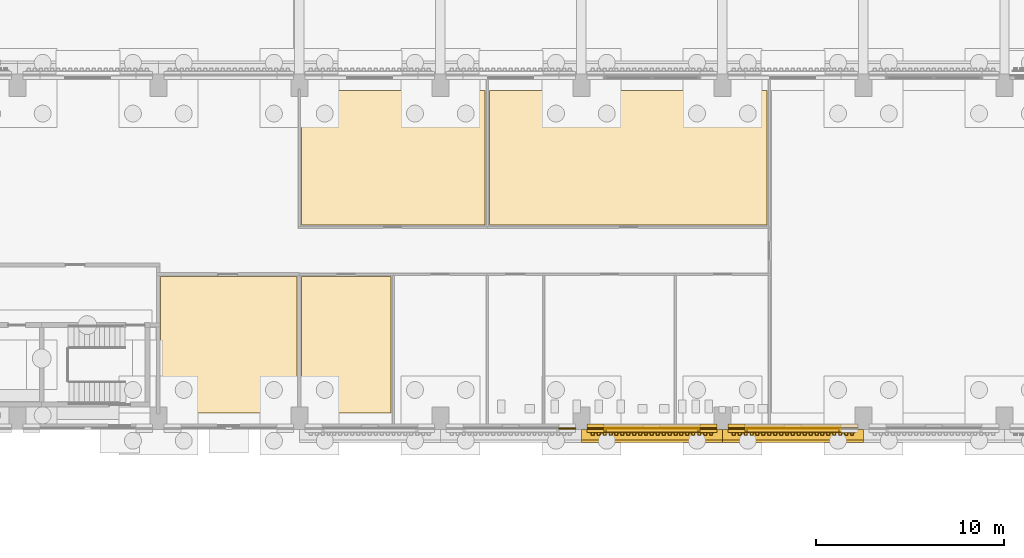
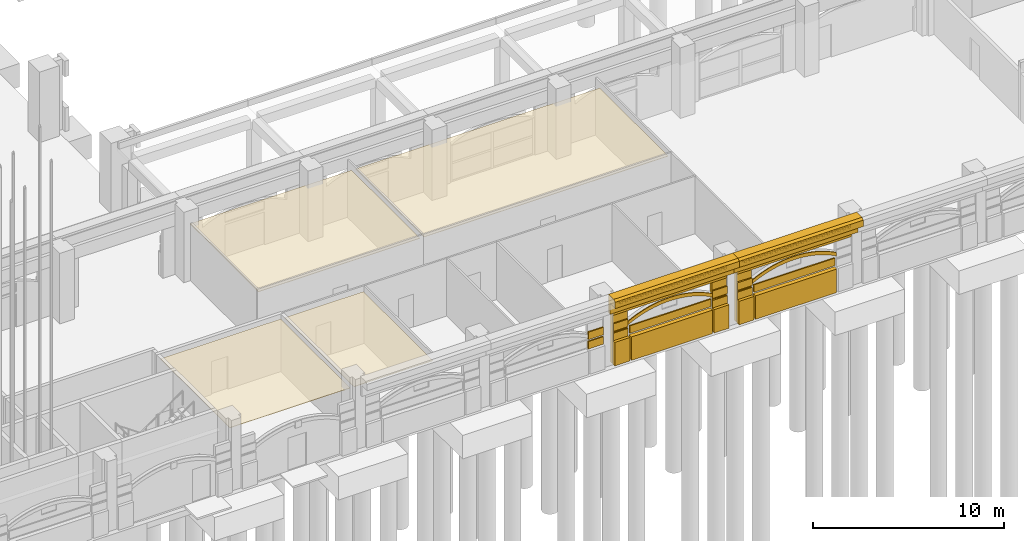
# One storey, part 69 of 99: 30 coverings.
"""IFC4 building model written with IfcOpenShell, lengths in metres."""

from ifc_helpers import new_model, si_unit, direction, frame, origin, place, context, subcontext, project, spatial, polyline, outline, extrude, material, layer, layer_set, type_object, element, save


model = new_model("IFC4")

# Units and contexts
model_context = context("Model", 3, precision=1e-05, world=origin(), true_north=direction((0.0, 1.0)))
body_context = subcontext(model_context, "Body", "Model", "MODEL_VIEW")
ifc_project = project(units=[si_unit("LENGTHUNIT", "METRE"), si_unit("AREAUNIT", "SQUARE_METRE"), si_unit("VOLUMEUNIT", "CUBIC_METRE"), si_unit("PLANEANGLEUNIT", "RADIAN"), si_unit("MASSUNIT", "GRAM", prefix="KILO")], contexts=[model_context])

# Site, building, storey
site_placement = place(None, origin())
site = spatial("IfcSite", under=ifc_project, at=site_placement, CompositionType="ELEMENT")
building_placement = place(site_placement, origin())
building = spatial("IfcBuilding", under=site, at=building_placement, Name="Cour d'Honneur Mobility Palace", CompositionType="ELEMENT")
storey_placement = place(building_placement, origin())
storey = spatial("IfcBuildingStorey", under=building, at=storey_placement, Name="L00", CompositionType="ELEMENT", Elevation=0.0)

# Coverings
ifc_material_1 = material(Name="Cast limestone", Category="masonry")
ifc_layer_1 = layer(ifc_material_1, 0.050048828125)
ifc_layer_set_1 = layer_set([ifc_layer_1], Name="Cast limestone")
covering_type_1 = type_object("IfcCoveringType", Name="Arch hood", PredefinedType="CLADDING", material=ifc_layer_set_1)
for number, where, z_axis, x_axis, name in (
    (1, (116.10009765625, 44.300048828125, 2.179931640625), (0.0, -1.0, 0.0), (0.893466628376, 0.0, 0.449129584839), "Arch hood AH-20"),
    (2, (123.60009765625, 44.300048828125, 2.179931640625), (0.0, -1.0, 0.0), (0.893466628376, 0.0, 0.449129584839), "Arch hood AH-21"),
):
    element("IfcCovering", number, at=place(storey_placement, frame(where, z_axis=z_axis, x_axis=x_axis)), inside=storey, type_object=covering_type_1, Name=name, PredefinedType="CLADDING", context=body_context, shape_type="SweptSolid", body=[
        extrude(outline(polyline([(0.0, 0.0), (0.35659251896621735, 0.0), (0.7019994885684498, -0.022795326888668588), (1.0365522012474004, -0.0666397586034293), (1.3614544754480467, -0.13022567619190017), (1.6770364335570624, -0.21235277137119013), (1.9834088964060255, -0.3122569988605455), (2.2812274285521696, -0.4297213972129261), (2.5701654177709066, -0.564308533372167), (2.850768777841922, -0.7160195773922962), (3.122709726486599, -0.8849630099968336), (3.38566048142632, -1.0712473119092998), (3.6398380041081246, -1.2755280476869282), (3.8844770791972314, -1.4982403102778272), (4.119465715808033, -1.740694058742436), (4.343818226996622, -2.004306562810686), (4.556548925819088, -2.2904950922125074), (4.655344276390369, -2.0939586097498237), (4.44272322834545, -1.807551948846934), (4.218261066379314, -1.5441575762797524), (3.983272429768512, -1.3017038278151434), (3.7387430054569535, -1.078773433723176), (3.4844558319976, -0.8747108294466162), (3.221505077057879, -0.68842652753415), (2.949564128413202, -0.5194830949296125), (2.6689607683421865, -0.3677720509094833), (2.3800227791234496, -0.2331849147502425), (2.0822042469773057, -0.11572051639786185), (1.7758317841283424, -0.015816288908506504), (1.4603594767968753, 0.06652893777185187), (1.1353475518186806, 0.12989672385925438), (0.8007948391397299, 0.17374115557401504), (0.45549752031504603, 0.1967546139637521), (0.09879535057128006, 0.19653648246268365), (0.0, 0.0)])), origin(), (0.0, 0.0, -1.0), 0.050048828125),
    ])
ifc_material_2 = material(Name="Cast limestone", Category="masonry")
ifc_layer_2 = layer(ifc_material_2, 0.14990234375)
ifc_layer_set_2 = layer_set([ifc_layer_2], Name="Cast limestone")
covering_type_2 = type_object("IfcCoveringType", Name="Dentil course", PredefinedType="CLADDING", material=ifc_layer_set_2)
covering_1_placement = place(storey_placement, frame((0.0, 0.0, 3.949951171875)))
element("IfcCovering", 3, at=covering_1_placement, inside=storey, type_object=covering_type_2, Name="Dentil course DC-14", PredefinedType="CLADDING", context=body_context, shape_type="SweptSolid", body=[
    extrude(outline(polyline([(115.35009765625, 44.10009765625), (121.949951171875, 44.10009765625), (121.949951171875, 44.070068359375), (121.949951171875, 44.070068359375), (121.871337890625, 44.070068359375), (121.871337890625, 43.949951171875), (121.71435546875, 43.949951171875), (121.71435546875, 44.070068359375), (121.6357421875, 44.070068359375), (121.6357421875, 44.070068359375), (121.55712890625, 44.070068359375), (121.55712890625, 43.949951171875), (121.39990234375, 43.949951171875), (121.39990234375, 44.070068359375), (121.321533203125, 44.070068359375), (121.321533203125, 44.070068359375), (121.242919921875, 44.070068359375), (121.242919921875, 43.949951171875), (121.085693359375, 43.949951171875), (121.085693359375, 44.070068359375), (121.007080078125, 44.070068359375), (121.007080078125, 44.070068359375), (120.928466796875, 44.070068359375), (120.928466796875, 43.949951171875), (120.771484375, 43.949951171875), (120.771484375, 44.070068359375), (120.69287109375, 44.070068359375), (120.69287109375, 44.070068359375), (120.6142578125, 44.070068359375), (120.6142578125, 43.949951171875), (120.45703125, 43.949951171875), (120.45703125, 44.070068359375), (120.378662109375, 44.070068359375), (120.378662109375, 44.070068359375), (120.300048828125, 44.070068359375), (120.300048828125, 43.949951171875), (120.142822265625, 43.949951171875), (120.142822265625, 44.070068359375), (120.064208984375, 44.070068359375), (120.064208984375, 44.070068359375), (119.985595703125, 44.070068359375), (119.985595703125, 43.949951171875), (119.82861328125, 43.949951171875), (119.82861328125, 44.070068359375), (119.75, 44.070068359375), (119.75, 44.070068359375), (119.67138671875, 44.070068359375), (119.67138671875, 43.949951171875), (119.514404296875, 43.949951171875), (119.514404296875, 44.070068359375), (119.435791015625, 44.070068359375), (119.435791015625, 44.070068359375), (119.357177734375, 44.070068359375), (119.357177734375, 43.949951171875), (119.199951171875, 43.949951171875), (119.199951171875, 44.070068359375), (119.121337890625, 44.070068359375), (119.121337890625, 44.070068359375), (119.04296875, 44.070068359375), (119.04296875, 43.949951171875), (118.8857421875, 43.949951171875), (118.8857421875, 44.070068359375), (118.80712890625, 44.070068359375), (118.80712890625, 44.070068359375), (118.728515625, 44.070068359375), (118.728515625, 43.949951171875), (118.571533203125, 43.949951171875), (118.571533203125, 44.070068359375), (118.492919921875, 44.070068359375), (118.492919921875, 44.070068359375), (118.414306640625, 44.070068359375), (118.414306640625, 43.949951171875), (118.257080078125, 43.949951171875), (118.257080078125, 44.070068359375), (118.178466796875, 44.070068359375), (118.178466796875, 44.070068359375), (118.10009765625, 44.070068359375), (118.10009765625, 43.949951171875), (117.94287109375, 43.949951171875), (117.94287109375, 44.070068359375), (117.8642578125, 44.070068359375), (117.8642578125, 44.070068359375), (117.78564453125, 44.070068359375), (117.78564453125, 43.949951171875), (117.628662109375, 43.949951171875), (117.628662109375, 44.070068359375), (117.550048828125, 44.070068359375), (117.550048828125, 44.070068359375), (117.471435546875, 44.070068359375), (117.471435546875, 43.949951171875), (117.314208984375, 43.949951171875), (117.314208984375, 44.070068359375), (117.235595703125, 44.070068359375), (117.235595703125, 44.070068359375), (117.1572265625, 44.070068359375), (117.1572265625, 43.949951171875), (117.0, 43.949951171875), (117.0, 44.070068359375), (116.92138671875, 44.070068359375), (116.92138671875, 44.070068359375), (116.8427734375, 44.070068359375), (116.8427734375, 43.949951171875), (116.685791015625, 43.949951171875), (116.685791015625, 44.070068359375), (116.607177734375, 44.070068359375), (116.607177734375, 44.070068359375), (116.528564453125, 44.070068359375), (116.528564453125, 43.949951171875), (116.371337890625, 43.949951171875), (116.371337890625, 44.070068359375), (116.29296875, 44.070068359375), (116.29296875, 44.070068359375), (116.21435546875, 44.070068359375), (116.21435546875, 43.949951171875), (116.05712890625, 43.949951171875), (116.05712890625, 44.070068359375), (115.978515625, 44.070068359375), (115.978515625, 44.070068359375), (115.89990234375, 44.070068359375), (115.89990234375, 43.949951171875), (115.742919921875, 43.949951171875), (115.742919921875, 44.070068359375), (115.664306640625, 44.070068359375), (115.664306640625, 44.070068359375), (115.585693359375, 44.070068359375), (115.585693359375, 43.949951171875), (115.428466796875, 43.949951171875), (115.428466796875, 44.070068359375), (115.35009765625, 44.070068359375), (115.35009765625, 44.10009765625)])), origin(), (0.0, 0.0, 1.0), 0.150146484375),
])
covering_2_placement = place(storey_placement, frame((0.0, 0.0, 3.949951171875)))
element("IfcCovering", 4, at=covering_2_placement, inside=storey, type_object=covering_type_2, Name="Dentil course DC-15", PredefinedType="CLADDING", context=body_context, shape_type="SweptSolid", body=[
    extrude(outline(polyline([(122.85009765625, 44.10009765625), (129.449951171875, 44.10009765625), (129.449951171875, 44.070068359375), (129.449951171875, 44.070068359375), (129.371337890625, 44.070068359375), (129.371337890625, 43.949951171875), (129.21435546875, 43.949951171875), (129.21435546875, 44.070068359375), (129.1357421875, 44.070068359375), (129.1357421875, 44.070068359375), (129.05712890625, 44.070068359375), (129.05712890625, 43.949951171875), (128.89990234375, 43.949951171875), (128.89990234375, 44.070068359375), (128.821533203125, 44.070068359375), (128.821533203125, 44.070068359375), (128.742919921875, 44.070068359375), (128.742919921875, 43.949951171875), (128.585693359375, 43.949951171875), (128.585693359375, 44.070068359375), (128.507080078125, 44.070068359375), (128.507080078125, 44.070068359375), (128.428466796875, 44.070068359375), (128.428466796875, 43.949951171875), (128.271484375, 43.949951171875), (128.271484375, 44.070068359375), (128.19287109375, 44.070068359375), (128.19287109375, 44.070068359375), (128.1142578125, 44.070068359375), (128.1142578125, 43.949951171875), (127.95703125, 43.949951171875), (127.95703125, 44.070068359375), (127.878662109375, 44.070068359375), (127.878662109375, 44.070068359375), (127.800048828125, 44.070068359375), (127.800048828125, 43.949951171875), (127.642822265625, 43.949951171875), (127.642822265625, 44.070068359375), (127.564208984375, 44.070068359375), (127.564208984375, 44.070068359375), (127.485595703125, 44.070068359375), (127.485595703125, 43.949951171875), (127.32861328125, 43.949951171875), (127.32861328125, 44.070068359375), (127.25, 44.070068359375), (127.25, 44.070068359375), (127.17138671875, 44.070068359375), (127.17138671875, 43.949951171875), (127.014404296875, 43.949951171875), (127.014404296875, 44.070068359375), (126.935791015625, 44.070068359375), (126.935791015625, 44.070068359375), (126.857177734375, 44.070068359375), (126.857177734375, 43.949951171875), (126.699951171875, 43.949951171875), (126.699951171875, 44.070068359375), (126.621337890625, 44.070068359375), (126.621337890625, 44.070068359375), (126.54296875, 44.070068359375), (126.54296875, 43.949951171875), (126.3857421875, 43.949951171875), (126.3857421875, 44.070068359375), (126.30712890625, 44.070068359375), (126.30712890625, 44.070068359375), (126.228515625, 44.070068359375), (126.228515625, 43.949951171875), (126.071533203125, 43.949951171875), (126.071533203125, 44.070068359375), (125.992919921875, 44.070068359375), (125.992919921875, 44.070068359375), (125.914306640625, 44.070068359375), (125.914306640625, 43.949951171875), (125.757080078125, 43.949951171875), (125.757080078125, 44.070068359375), (125.678466796875, 44.070068359375), (125.678466796875, 44.070068359375), (125.60009765625, 44.070068359375), (125.60009765625, 43.949951171875), (125.44287109375, 43.949951171875), (125.44287109375, 44.070068359375), (125.3642578125, 44.070068359375), (125.3642578125, 44.070068359375), (125.28564453125, 44.070068359375), (125.28564453125, 43.949951171875), (125.128662109375, 43.949951171875), (125.128662109375, 44.070068359375), (125.050048828125, 44.070068359375), (125.050048828125, 44.070068359375), (124.971435546875, 44.070068359375), (124.971435546875, 43.949951171875), (124.814208984375, 43.949951171875), (124.814208984375, 44.070068359375), (124.735595703125, 44.070068359375), (124.735595703125, 44.070068359375), (124.6572265625, 44.070068359375), (124.6572265625, 43.949951171875), (124.5, 43.949951171875), (124.5, 44.070068359375), (124.42138671875, 44.070068359375), (124.42138671875, 44.070068359375), (124.3427734375, 44.070068359375), (124.3427734375, 43.949951171875), (124.185791015625, 43.949951171875), (124.185791015625, 44.070068359375), (124.107177734375, 44.070068359375), (124.107177734375, 44.070068359375), (124.028564453125, 44.070068359375), (124.028564453125, 43.949951171875), (123.871337890625, 43.949951171875), (123.871337890625, 44.070068359375), (123.79296875, 44.070068359375), (123.79296875, 44.070068359375), (123.71435546875, 44.070068359375), (123.71435546875, 43.949951171875), (123.55712890625, 43.949951171875), (123.55712890625, 44.070068359375), (123.478515625, 44.070068359375), (123.478515625, 44.070068359375), (123.39990234375, 44.070068359375), (123.39990234375, 43.949951171875), (123.242919921875, 43.949951171875), (123.242919921875, 44.070068359375), (123.164306640625, 44.070068359375), (123.164306640625, 44.070068359375), (123.085693359375, 44.070068359375), (123.085693359375, 43.949951171875), (122.928466796875, 43.949951171875), (122.928466796875, 44.070068359375), (122.85009765625, 44.070068359375), (122.85009765625, 44.10009765625)])), origin(), (0.0, 0.0, 1.0), 0.150146484375),
])
ifc_material_3 = material(Name="Cast limestone", Category="masonry")
ifc_layer_3 = layer(ifc_material_3, 0.699951171875)
ifc_layer_set_3 = layer_set([ifc_layer_3], Name="Cast limestone")
covering_type_3 = type_object("IfcCoveringType", Name="Entablature", PredefinedType="CLADDING", material=ifc_layer_set_3)
for number, where, z_axis, x_axis, name in (
    (5, (114.89990234375, 44.25, 3.39990234375), (-1.0, 0.0, 0.0), (0.0, -1.0, 0.0), "Entablature EN-14"),
    (6, (122.39990234375, 44.25, 3.39990234375), (-1.0, 0.0, 0.0), (0.0, -1.0, 0.0), "Entablature EN-15"),
):
    element("IfcCovering", number, at=place(storey_placement, frame(where, z_axis=z_axis, x_axis=x_axis)), inside=storey, type_object=covering_type_3, Name=name, PredefinedType="CLADDING", context=body_context, shape_type="SweptSolid", body=[
        extrude(outline(polyline([(0.0, 0.0), (0.14990234375, 0.0), (0.14990234375, 0.7001953125), (0.699951171875, 0.7001953125), (0.699951171875, 1.10009765625), (0.550048828125, 1.2001953125), (0.0, 1.2001953125), (0.0, 0.0)])), origin(), (0.0, 0.0, -1.0), 7.5),
    ])
ifc_material_4 = material(Name="Cast limestone", Category="masonry")
ifc_layer_4 = layer(ifc_material_4, 0.25)
ifc_layer_set_4 = layer_set([ifc_layer_4], Name="Cast limestone")
covering_type_4 = type_object("IfcCoveringType", Name="Plinth course", PredefinedType="CLADDING", material=ifc_layer_set_4)
covering_3_placement = place(storey_placement, origin())
element("IfcCovering", 7, at=covering_3_placement, inside=storey, type_object=covering_type_4, Name="Plinth course PI-57", PredefinedType="CLADDING", context=body_context, shape_type="SweptSolid", body=[
    extrude(outline(polyline([(115.199951171875, 44.35009765625), (116.10009765625, 44.35009765625), (116.10009765625, 44.10009765625), (115.199951171875, 44.10009765625), (115.199951171875, 44.35009765625)])), origin(), (0.0, 0.0, 1.0), 1.5),
])
covering_4_placement = place(storey_placement, origin())
element("IfcCovering", 8, at=covering_4_placement, inside=storey, type_object=covering_type_4, Name="Plinth course PI-58", PredefinedType="CLADDING", context=body_context, shape_type="SweptSolid", body=[
    extrude(outline(polyline([(121.199951171875, 44.35009765625), (122.10009765625, 44.35009765625), (122.10009765625, 44.10009765625), (121.199951171875, 44.10009765625), (121.199951171875, 44.35009765625)])), origin(), (0.0, 0.0, 1.0), 1.5),
])
covering_5_placement = place(storey_placement, origin())
element("IfcCovering", 9, at=covering_5_placement, inside=storey, type_object=covering_type_4, Name="Plinth course PI-59", PredefinedType="CLADDING", context=body_context, shape_type="SweptSolid", body=[
    extrude(outline(polyline([(116.199951171875, 44.35009765625), (121.10009765625, 44.35009765625), (121.10009765625, 44.10009765625), (116.199951171875, 44.10009765625), (116.199951171875, 44.35009765625)])), origin(), (0.0, 0.0, 1.0), 1.5),
])
covering_6_placement = place(storey_placement, origin())
element("IfcCovering", 10, at=covering_6_placement, inside=storey, type_object=covering_type_4, Name="Plinth course PI-60", PredefinedType="CLADDING", context=body_context, shape_type="SweptSolid", body=[
    extrude(outline(polyline([(122.699951171875, 44.35009765625), (123.60009765625, 44.35009765625), (123.60009765625, 44.10009765625), (122.699951171875, 44.10009765625), (122.699951171875, 44.35009765625)])), origin(), (0.0, 0.0, 1.0), 1.5),
])
covering_7_placement = place(storey_placement, origin())
element("IfcCovering", 11, at=covering_7_placement, inside=storey, type_object=covering_type_4, Name="Plinth course PI-62", PredefinedType="CLADDING", context=body_context, shape_type="SweptSolid", body=[
    extrude(outline(polyline([(123.699951171875, 44.35009765625), (128.60009765625, 44.35009765625), (128.60009765625, 44.10009765625), (123.699951171875, 44.10009765625), (123.699951171875, 44.35009765625)])), origin(), (0.0, 0.0, 1.0), 1.5),
])
ifc_material_5 = material(Name="Cast limestone", Category="masonry")
ifc_layer_5 = layer(ifc_material_5, 0.199951171875)
ifc_layer_set_5 = layer_set([ifc_layer_5], Name="Cast limestone")
covering_type_5 = type_object("IfcCoveringType", Name="Rusticated jamb panel", PredefinedType="CLADDING", material=ifc_layer_set_5)
for number, where, z_axis, x_axis, name in (
    (12, (115.199951171875, 44.35009765625, 0.0), (0.0, -1.0, 0.0), (1.0, 0.0, 0.0), "Rusticated jamb panel RP-43"),
    (13, (121.199951171875, 44.35009765625, 0.0), (0.0, -1.0, 0.0), (1.0, 0.0, 0.0), "Rusticated jamb panel RP-44"),
    (14, (122.699951171875, 44.35009765625, 0.0), (0.0, -1.0, 0.0), (1.0, 0.0, 0.0), "Rusticated jamb panel RP-45"),
):
    element("IfcCovering", number, at=place(storey_placement, frame(where, z_axis=z_axis, x_axis=x_axis)), inside=storey, type_object=covering_type_5, Name=name, PredefinedType="CLADDING", context=body_context, shape_type="SweptSolid", body=[
        extrude(outline(polyline([(0.0, 0.0), (0.900146484375, 0.0), (0.900146484375, 3.10009765625), (0.0, 3.10009765625), (0.0, 0.0)])), origin(), (0.0, 0.0, -1.0), 0.199951171875),
    ])
ifc_material_6 = material(Name="Cast limestone", Category="masonry")
ifc_layer_6 = layer(ifc_material_6, 0.080078125)
ifc_layer_set_6 = layer_set([ifc_layer_6], Name="Cast limestone")
covering_type_6 = type_object("IfcCoveringType", Name="Rustication course", PredefinedType="CLADDING", material=ifc_layer_set_6)
for number, where, name in (
    (15, (0.0, 0.0, 1.5), "Rustication course RC-94"),
    (16, (0.0, 0.0, 2.10009765625), "Rustication course RC-95"),
):
    element("IfcCovering", number, at=place(storey_placement, frame(where)), inside=storey, type_object=covering_type_6, Name=name, PredefinedType="CLADDING", context=body_context, shape_type="SweptSolid", body=[
        extrude(outline(polyline([(113.699951171875, 44.35009765625), (114.60009765625, 44.35009765625), (114.60009765625, 44.27001953125), (113.699951171875, 44.27001953125), (113.699951171875, 44.35009765625)])), origin(), (0.0, 0.0, 1.0), 0.47998046875),
    ])
for number, where, name in (
    (17, (0.0, 0.0, 1.5), "Rustication course RC-97"),
    (18, (0.0, 0.0, 2.10009765625), "Rustication course RC-98"),
):
    element("IfcCovering", number, at=place(storey_placement, frame(where)), inside=storey, type_object=covering_type_6, Name=name, PredefinedType="CLADDING", context=body_context, shape_type="SweptSolid", body=[
        extrude(outline(polyline([(115.199951171875, 44.35009765625), (116.10009765625, 44.35009765625), (116.10009765625, 44.27001953125), (115.199951171875, 44.27001953125), (115.199951171875, 44.35009765625)])), origin(), (0.0, 0.0, 1.0), 0.47998046875),
    ])
for number, where, name in (
    (19, (0.0, 0.0, 1.5), "Rustication course RC-99"),
    (20, (0.0, 0.0, 2.10009765625), "Rustication course RC-100"),
):
    element("IfcCovering", number, at=place(storey_placement, frame(where)), inside=storey, type_object=covering_type_6, Name=name, PredefinedType="CLADDING", context=body_context, shape_type="SweptSolid", body=[
        extrude(outline(polyline([(121.199951171875, 44.35009765625), (122.10009765625, 44.35009765625), (122.10009765625, 44.27001953125), (121.199951171875, 44.27001953125), (121.199951171875, 44.35009765625)])), origin(), (0.0, 0.0, 1.0), 0.47998046875),
    ])
covering_8_placement = place(storey_placement, frame((0.0, 0.0, 1.6201171875)))
element("IfcCovering", 21, at=covering_8_placement, inside=storey, type_object=covering_type_6, Name="Rustication course RC-101", PredefinedType="CLADDING", context=body_context, shape_type="SweptSolid", body=[
    extrude(outline(polyline([(116.199951171875, 44.35009765625), (121.10009765625, 44.35009765625), (121.10009765625, 44.27001953125), (116.199951171875, 44.27001953125), (116.199951171875, 44.35009765625)])), origin(), (0.0, 0.0, 1.0), 0.47998046875),
])
for number, where, name in (
    (22, (0.0, 0.0, 1.5), "Rustication course RC-102"),
    (23, (0.0, 0.0, 2.10009765625), "Rustication course RC-103"),
):
    element("IfcCovering", number, at=place(storey_placement, frame(where)), inside=storey, type_object=covering_type_6, Name=name, PredefinedType="CLADDING", context=body_context, shape_type="SweptSolid", body=[
        extrude(outline(polyline([(122.699951171875, 44.35009765625), (123.60009765625, 44.35009765625), (123.60009765625, 44.27001953125), (122.699951171875, 44.27001953125), (122.699951171875, 44.35009765625)])), origin(), (0.0, 0.0, 1.0), 0.47998046875),
    ])
covering_9_placement = place(storey_placement, frame((0.0, 0.0, 1.6201171875)))
element("IfcCovering", 24, at=covering_9_placement, inside=storey, type_object=covering_type_6, Name="Rustication course RC-106", PredefinedType="CLADDING", context=body_context, shape_type="SweptSolid", body=[
    extrude(outline(polyline([(123.699951171875, 44.35009765625), (128.60009765625, 44.35009765625), (128.60009765625, 44.27001953125), (123.699951171875, 44.27001953125), (123.699951171875, 44.35009765625)])), origin(), (0.0, 0.0, 1.0), 0.47998046875),
])
ifc_material_7 = material(Name="Cast limestone", Category="masonry")
ifc_layer_7 = layer(ifc_material_7, 0.25)
ifc_layer_set_7 = layer_set([ifc_layer_7], Name="Cast limestone")
covering_type_7 = type_object("IfcCoveringType", Name="Spandrel cladding", PredefinedType="CLADDING", material=ifc_layer_set_7)
for number, where, z_axis, x_axis, name in (
    (25, (115.199951171875, 44.550048828125, 3.10009765625), (-1.0, 0.0, 0.0), (0.0, -1.0, 0.0), "Spandrel cladding SK-14"),
    (26, (122.699951171875, 44.550048828125, 3.10009765625), (-1.0, 0.0, 0.0), (0.0, -1.0, 0.0), "Spandrel cladding SK-15"),
):
    element("IfcCovering", number, at=place(storey_placement, frame(where, z_axis=z_axis, x_axis=x_axis)), inside=storey, type_object=covering_type_7, Name=name, PredefinedType="CLADDING", context=body_context, shape_type="SweptSolid", body=[
        extrude(outline(polyline([(0.0, 0.0), (0.25, 0.0), (0.25, 1.39990234375), (0.199951171875, 1.39990234375), (0.199951171875, 0.7998046875), (0.0, 0.7998046875), (0.0, 0.0)])), origin(), (0.0, 0.0, -1.0), 6.89990234375),
    ])
ifc_material_8 = material(Name="Suspended ceiling")
ifc_layer_8 = layer(ifc_material_8, 0.030029296875)
ifc_layer_set_8 = layer_set([ifc_layer_8], Name="Suspended ceiling")
covering_type_8 = type_object("IfcCoveringType", Name="Suspended ceiling", PredefinedType="CEILING", material=ifc_layer_set_8)
covering_10_placement = place(storey_placement, frame((0.0, 0.0, 3.35009765625)))
element("IfcCovering", 27, at=covering_10_placement, inside=storey, type_object=covering_type_8, Name="Ceiling Fire Command Centre", PredefinedType="CEILING", context=body_context, shape_type="SweptSolid", body=[
    extrude(outline(polyline([(99.780029296875, 45.1201171875), (92.52001953125, 45.1201171875), (92.52001953125, 52.3798828125), (99.780029296875, 52.3798828125), (99.780029296875, 45.1201171875)])), origin(), (0.0, 0.0, 1.0), 0.02978515625),
])
covering_11_placement = place(storey_placement, frame((0.0, 0.0, 3.35009765625)))
element("IfcCovering", 28, at=covering_11_placement, inside=storey, type_object=covering_type_8, Name="Ceiling Parking Management Office", PredefinedType="CEILING", context=body_context, shape_type="SweptSolid", body=[
    extrude(outline(polyline([(104.780029296875, 45.1201171875), (100.02001953125, 45.1201171875), (100.02001953125, 52.3798828125), (104.780029296875, 52.3798828125), (104.780029296875, 45.1201171875)])), origin(), (0.0, 0.0, 1.0), 0.02978515625),
])
covering_12_placement = place(storey_placement, frame((0.0, 0.0, 3.35009765625)))
element("IfcCovering", 29, at=covering_12_placement, inside=storey, type_object=covering_type_8, Name="Ceiling Ticket Office", PredefinedType="CEILING", context=body_context, shape_type="SweptSolid", body=[
    extrude(outline(polyline([(109.780029296875, 55.1201171875), (100.02001953125, 55.1201171875), (100.02001953125, 62.280029296875), (109.780029296875, 62.280029296875), (109.780029296875, 55.1201171875)])), origin(), (0.0, 0.0, 1.0), 0.02978515625),
])
covering_13_placement = place(storey_placement, frame((0.0, 0.0, 3.35009765625)))
element("IfcCovering", 30, at=covering_13_placement, inside=storey, type_object=covering_type_8, Name="Ceiling Mobility Shop", PredefinedType="CEILING", context=body_context, shape_type="SweptSolid", body=[
    extrude(outline(polyline([(124.780029296875, 55.1201171875), (110.02001953125, 55.1201171875), (110.02001953125, 62.280029296875), (124.780029296875, 62.280029296875), (124.780029296875, 55.1201171875)])), origin(), (0.0, 0.0, 1.0), 0.02978515625),
])

save(model, "model.ifc")
